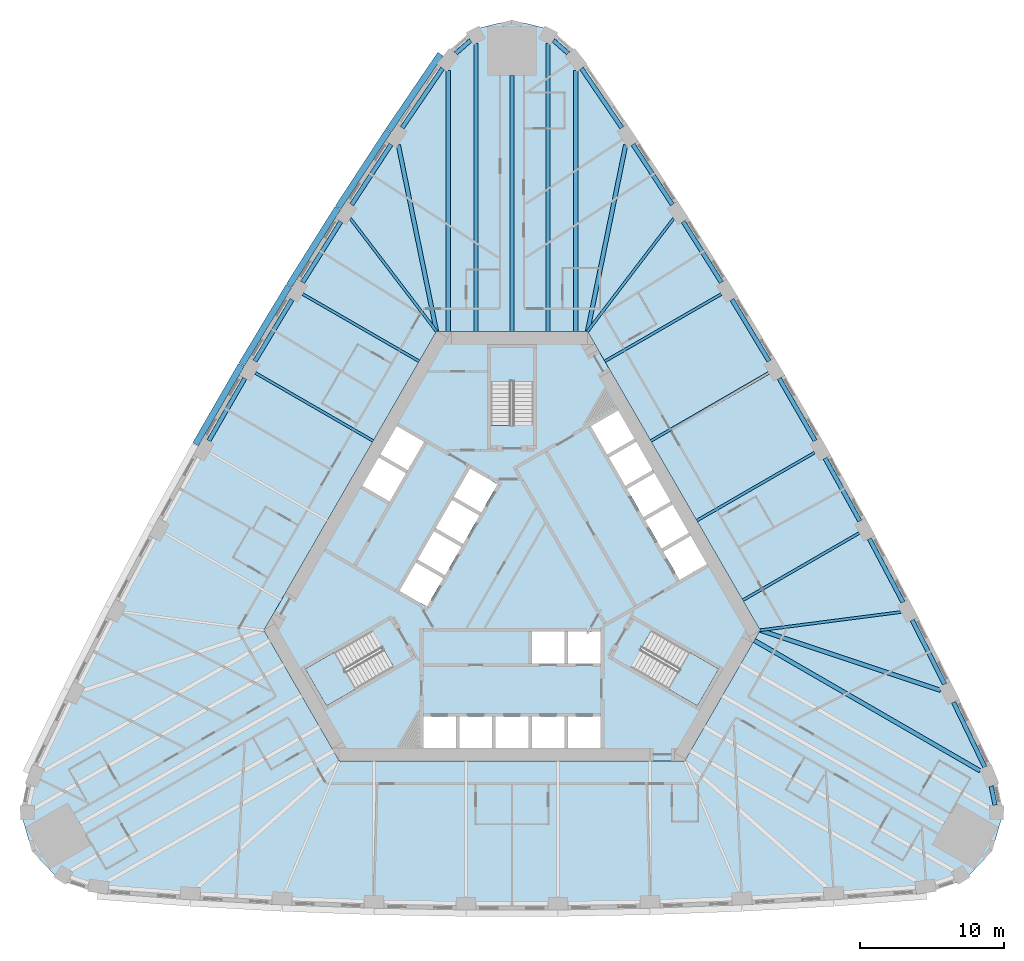
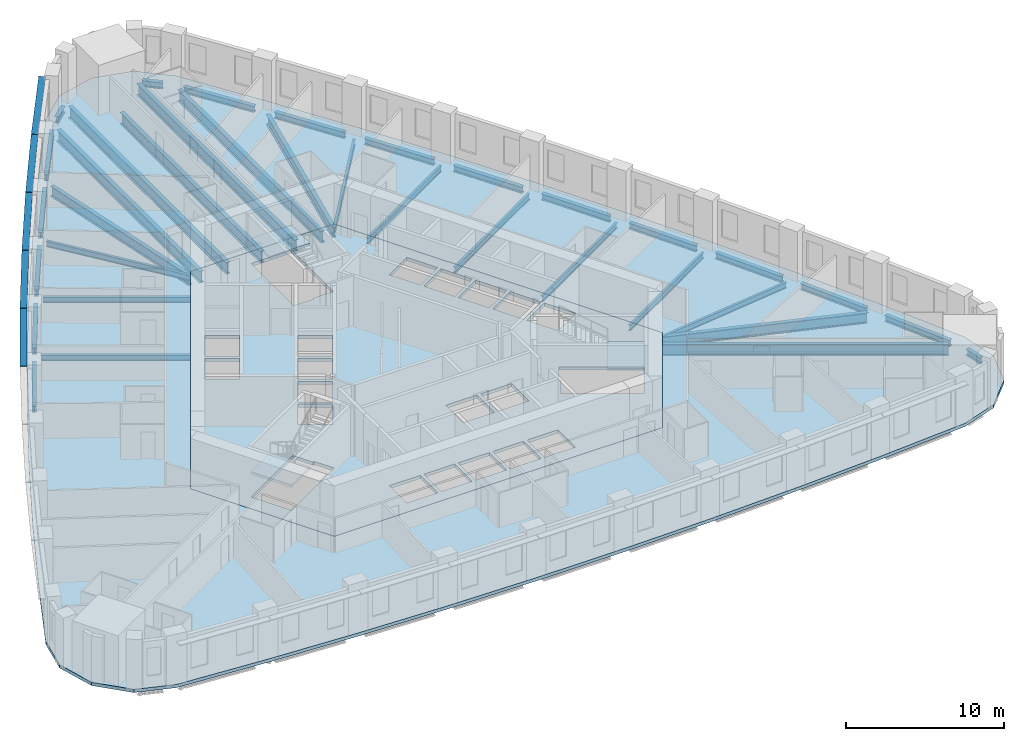
# One storey, part 2 of 12: 35 beams, 5 members, 5 slabs, 3 elements without a shape of their own.
"""IFC4 building model written with IfcOpenShell, lengths in metres."""

from ifc_helpers import new_model, si_unit, direction, frame, origin, origin_2d, place, context, subcontext, project, spatial, polyline, rectangle, i_section, outline, extrude, material, layer, layer_set, material_profile, profile_set, type_object, element, aggregate, save


model = new_model("IFC4")

# Units and contexts
model_context = context("Model", 3, precision=1e-05, world=origin(), true_north=direction((0.0, 1.0)))
body_context = subcontext(model_context, "Body", "Model", "MODEL_VIEW")
ifc_project = project(units=[si_unit("LENGTHUNIT", "METRE"), si_unit("AREAUNIT", "SQUARE_METRE"), si_unit("VOLUMEUNIT", "CUBIC_METRE"), si_unit("PLANEANGLEUNIT", "RADIAN"), si_unit("MASSUNIT", "GRAM", prefix="KILO")], contexts=[model_context])

# Site, building, storey
site_placement = place(None, origin())
site = spatial("IfcSite", under=ifc_project, at=site_placement, CompositionType="ELEMENT")
building_placement = place(site_placement, origin())
building = spatial("IfcBuilding", under=site, at=building_placement, Name="Mestral Congress Tower", CompositionType="ELEMENT")
storey_placement = place(building_placement, frame((0.0, 0.0, 74.39990234375)))
storey = spatial("IfcBuildingStorey", under=building, at=storey_placement, Name="L17", CompositionType="ELEMENT", Elevation=74.39990234375)

# Members
ifc_material_1 = material(Name="Glazed ceramic", Category="masonry")
ifc_material_profile_1 = material_profile(ifc_material_1, rectangle(XDim=0.449951171875, YDim=0.06005859375, at=origin_2d()), Name="Ceramic blade 450 x 60")
ifc_profile_set_1 = profile_set([ifc_material_profile_1], Name="Glazed ceramic")
member_type = type_object("IfcMemberType", Name="Facade sunshade blade 450 x 60", PredefinedType="USERDEFINED", material=ifc_profile_set_1)
member_1_placement = place(storey_placement, frame((-4.973388671875, 36.188232421875, 3.280029296875), z_axis=(-0.562633427576, -0.826706493367, 0.0), x_axis=(0.826706493367, -0.562633427576, 0.0)))
element("IfcMember", 1, at=member_1_placement, inside=storey, type_object=member_type, Name="Sunshade F2-00", ObjectType="SUNSHADE", PredefinedType="USERDEFINED", context=body_context, shape_type="SweptSolid", body=[
    extrude(rectangle(XDim=0.449951171875, YDim=0.06005859375, at=origin_2d()), origin(), (0.0, 0.0, 1.0), 6.4208984375),
])
member_2_placement = place(storey_placement, frame((-8.6103515625, 30.843505859375, 3.280029296875), z_axis=(-0.547211145376, -0.836994601163, 0.0), x_axis=(0.836994601163, -0.547211145376, 0.0)))
element("IfcMember", 2, at=member_2_placement, inside=storey, type_object=member_type, Name="Sunshade F2-01", ObjectType="SUNSHADE", PredefinedType="USERDEFINED", context=body_context, shape_type="SweptSolid", body=[
    extrude(rectangle(XDim=0.449951171875, YDim=0.06005859375, at=origin_2d()), origin(), (0.0, 0.0, 1.0), 6.368408203125),
])
for number, where, z_axis, x_axis, name in (
    (3, (-12.119140625, 25.47607421875, 3.280029296875), (-0.531665815747, -0.846954225662, 0.0), (0.846954225662, -0.531665815747, 0.0), "Sunshade F2-02"),
    (4, (-15.528076171875, 20.044921875, 3.280029296875), (-0.515904518528, -0.856646092481, 0.0), (0.856646092481, -0.515904518528, 0.0), "Sunshade F2-03"),
):
    element("IfcMember", number, at=place(storey_placement, frame(where, z_axis=z_axis, x_axis=x_axis)), inside=storey, type_object=member_type, Name=name, ObjectType="SUNSHADE", PredefinedType="USERDEFINED", context=body_context, shape_type="SweptSolid", body=[
        extrude(rectangle(XDim=0.449951171875, YDim=0.06005859375, at=origin_2d()), origin(), (0.0, 0.0, 1.0), 6.3681640625),
    ])
member_3_placement = place(storey_placement, frame((-18.8359375, 14.5517578125, 3.280029296875), z_axis=(-0.499990149842, -0.866031090701, 0.0), x_axis=(0.866031090701, -0.499990149842, 0.0)))
element("IfcMember", 5, at=member_3_placement, inside=storey, type_object=member_type, Name="Sunshade F2-04", ObjectType="SUNSHADE", PredefinedType="USERDEFINED", context=body_context, shape_type="SweptSolid", body=[
    extrude(rectangle(XDim=0.449951171875, YDim=0.06005859375, at=origin_2d()), origin(), (0.0, 0.0, 1.0), 6.368408203125),
])

# Beams
ifc_material_2 = material(Name="Steel S355", Category="steel")
ifc_material_profile_2 = material_profile(ifc_material_2, i_section(OverallWidth=0.300048828125, OverallDepth=0.800048828125, WebThickness=0.017578125, FlangeThickness=0.032958984375, FilletRadius=0.030029296875, at=origin_2d()), Name="HEB 800")
ifc_profile_set_2 = profile_set([ifc_material_profile_2], Name="Steel S355")
beam_type_1 = type_object("IfcBeamType", Name="Floor beam HEB 800 S355", PredefinedType="BEAM", material=ifc_profile_set_2)
for number, where, z_axis, x_axis, name in (
    (6, (29.8203125, -8.08349609375, -0.64990234375), (-0.948734931285, 0.316072824141, 0.0), (-0.316072824141, -0.948734931285, 0.0), "BM-L17-RB1-E01"),
    (7, (7.90966796875, 29.86669921875, -0.64990234375), (-0.200647311614, -0.979663542418, 0.0), (0.979663542418, -0.200647311614, 0.0), "BM-L17-RB1-E08"),
    (8, (-7.90966796875, 29.86669921875, -0.64990234375), (0.200647311614, -0.979663542418, 0.0), (0.979663542418, 0.200647311614, 0.0), "BM-L17-RB1-W01"),
):
    element("IfcBeam", number, at=place(storey_placement, frame(where, z_axis=z_axis, x_axis=x_axis)), inside=storey, type_object=beam_type_1, Name=name, PredefinedType="BEAM", context=body_context, shape_type="SweptSolid", body=[
        extrude(i_section(OverallWidth=0.300048828125, OverallDepth=0.800048828125, WebThickness=0.017578125, FlangeThickness=0.032958984375, FilletRadius=0.030029296875, at=origin_2d()), origin(), (0.0, 0.0, 1.0), 13.236083984375),
    ])
ifc_material_profile_3 = material_profile(ifc_material_2, i_section(OverallWidth=0.300048828125, OverallDepth=0.89990234375, WebThickness=0.0185546875, FlangeThickness=0.034912109375, FilletRadius=0.030029296875, at=origin_2d()), Name="HEB 900")
ifc_profile_set_3 = profile_set([ifc_material_profile_3], Name="Steel S355")
beam_type_2 = type_object("IfcBeamType", Name="Floor beam HEB 900 S355", PredefinedType="BEAM", material=ifc_profile_set_3)
beam_1_placement = place(storey_placement, frame((32.574462890625, -13.6845703125, -0.699951171875), z_axis=(-0.866029704776, 0.49999255039, 0.0), x_axis=(-0.49999255039, -0.866029704776, 0.0)))
element("IfcBeam", 9, at=beam_1_placement, inside=storey, type_object=beam_type_2, Name="BM-L17-RB1-E00", PredefinedType="BEAM", context=body_context, shape_type="SweptSolid", body=[
    extrude(i_section(OverallWidth=0.300048828125, OverallDepth=0.89990234375, WebThickness=0.0185546875, FlangeThickness=0.034912109375, FilletRadius=0.030029296875, at=origin_2d()), origin(), (0.0, 0.0, 1.0), 18.152587890625),
])
beam_2_placement = place(storey_placement, frame((4.43603515625, 35.052734375, -0.699951171875), z_axis=(0.0, -1.0, 0.0), x_axis=(1.0, 0.0, 0.0)))
element("IfcBeam", 10, at=beam_2_placement, inside=storey, type_object=beam_type_2, Name="BM-L17-RB1-E09", PredefinedType="BEAM", context=body_context, shape_type="SweptSolid", body=[
    extrude(i_section(OverallWidth=0.300048828125, OverallDepth=0.89990234375, WebThickness=0.0185546875, FlangeThickness=0.034912109375, FilletRadius=0.030029296875, at=origin_2d()), origin(), (0.0, 0.0, 1.0), 18.15283203125),
])
beam_3_placement = place(storey_placement, frame((2.503173828125, 36.91943359375, -0.699951171875), z_axis=(0.0, -1.0, 0.0), x_axis=(1.0, 0.0, 0.0)))
element("IfcBeam", 11, at=beam_3_placement, inside=storey, type_object=beam_type_2, Name="BM-L17-RB1-N1", PredefinedType="BEAM", context=body_context, shape_type="SweptSolid", body=[
    extrude(i_section(OverallWidth=0.300048828125, OverallDepth=0.89990234375, WebThickness=0.0185546875, FlangeThickness=0.034912109375, FilletRadius=0.030029296875, at=origin_2d()), origin(), (0.0, 0.0, 1.0), 20.01953125),
])
beam_4_placement = place(storey_placement, frame((0.0, 34.698974609375, -0.699951171875), z_axis=(0.0, -1.0, 0.0), x_axis=(1.0, 0.0, 0.0)))
element("IfcBeam", 12, at=beam_4_placement, inside=storey, type_object=beam_type_2, Name="BM-L17-RB1-N", PredefinedType="BEAM", context=body_context, shape_type="SweptSolid", body=[
    extrude(i_section(OverallWidth=0.300048828125, OverallDepth=0.89990234375, WebThickness=0.0185546875, FlangeThickness=0.034912109375, FilletRadius=0.030029296875, at=origin_2d()), origin(), (0.0, 0.0, 1.0), 17.799072265625),
])
beam_5_placement = place(storey_placement, frame((-2.503173828125, 36.91943359375, -0.699951171875), z_axis=(0.0, -1.0, 0.0), x_axis=(1.0, 0.0, 0.0)))
element("IfcBeam", 13, at=beam_5_placement, inside=storey, type_object=beam_type_2, Name="BM-L17-RB1-N3", PredefinedType="BEAM", context=body_context, shape_type="SweptSolid", body=[
    extrude(i_section(OverallWidth=0.300048828125, OverallDepth=0.89990234375, WebThickness=0.0185546875, FlangeThickness=0.034912109375, FilletRadius=0.030029296875, at=origin_2d()), origin(), (0.0, 0.0, 1.0), 20.01953125),
])
beam_6_placement = place(storey_placement, frame((-4.43603515625, 35.052734375, -0.699951171875), z_axis=(0.0, -1.0, 0.0), x_axis=(1.0, 0.0, 0.0)))
element("IfcBeam", 14, at=beam_6_placement, inside=storey, type_object=beam_type_2, Name="BM-L17-RB1-W00", PredefinedType="BEAM", context=body_context, shape_type="SweptSolid", body=[
    extrude(i_section(OverallWidth=0.300048828125, OverallDepth=0.89990234375, WebThickness=0.0185546875, FlangeThickness=0.034912109375, FilletRadius=0.030029296875, at=origin_2d()), origin(), (0.0, 0.0, 1.0), 18.15283203125),
])
ifc_material_profile_4 = material_profile(ifc_material_2, i_section(OverallWidth=0.18994140625, OverallDepth=0.449951171875, WebThickness=0.009521484375, FlangeThickness=0.0146484375, FilletRadius=0.02099609375, at=origin_2d()), Name="IPE 450")
ifc_profile_set_4 = profile_set([ifc_material_profile_4], Name="Steel S355")
beam_type_3 = type_object("IfcBeamType", Name="Floor beam IPE 450 S355", PredefinedType="BEAM", material=ifc_profile_set_4)
beam_7_placement = place(storey_placement, frame((27.058349609375, -2.6337890625, -0.474853515625), z_axis=(-0.99175011495, -0.128186229747, 0.0), x_axis=(0.128186229747, -0.99175011495, 0.0)))
element("IfcBeam", 15, at=beam_7_placement, inside=storey, type_object=beam_type_3, Name="BM-L17-RB1-E02", PredefinedType="BEAM", context=body_context, shape_type="SweptSolid", body=[
    extrude(i_section(OverallWidth=0.18994140625, OverallDepth=0.449951171875, WebThickness=0.009521484375, FlangeThickness=0.0146484375, FilletRadius=0.02099609375, at=origin_2d()), origin(), (0.0, 0.0, 1.0), 9.877197265625),
])
beam_8_placement = place(storey_placement, frame((24.150634765625, 2.859619140625, -0.474853515625), z_axis=(-0.866032011123, -0.499988555579, 0.0), x_axis=(0.499988555579, -0.866032011123, 0.0)))
element("IfcBeam", 16, at=beam_8_placement, inside=storey, type_object=beam_type_3, Name="BM-L17-RB1-E03", PredefinedType="BEAM", context=body_context, shape_type="SweptSolid", body=[
    extrude(i_section(OverallWidth=0.18994140625, OverallDepth=0.449951171875, WebThickness=0.009521484375, FlangeThickness=0.0146484375, FilletRadius=0.02099609375, at=origin_2d()), origin(), (0.0, 0.0, 1.0), 9.344970703125),
])
for number, where, z_axis, x_axis, name in (
    (17, (21.0537109375, 8.46044921875, -0.474853515625), (-0.866019749231, -0.500009793847, 0.0), (0.500009793847, -0.866019749231, 0.0), "BM-L17-RB1-E04"),
    (18, (17.853759765625, 14.0029296875, -0.474853515625), (-0.866019749231, -0.500009793847, 0.0), (0.500009793847, -0.866019749231, 0.0), "BM-L17-RB1-E05"),
):
    element("IfcBeam", number, at=place(storey_placement, frame(where, z_axis=z_axis, x_axis=x_axis)), inside=storey, type_object=beam_type_3, Name=name, PredefinedType="BEAM", context=body_context, shape_type="SweptSolid", body=[
        extrude(i_section(OverallWidth=0.18994140625, OverallDepth=0.449951171875, WebThickness=0.009521484375, FlangeThickness=0.0146484375, FilletRadius=0.02099609375, at=origin_2d()), origin(), (0.0, 0.0, 1.0), 9.463134765625),
    ])
beam_9_placement = place(storey_placement, frame((14.5517578125, 19.485107421875, -0.474853515625), z_axis=(-0.866025479842, -0.499999868264, 0.0), x_axis=(0.499999868264, -0.866025479842, 0.0)))
element("IfcBeam", 19, at=beam_9_placement, inside=storey, type_object=beam_type_3, Name="BM-L17-RB1-E06", PredefinedType="BEAM", context=body_context, shape_type="SweptSolid", body=[
    extrude(i_section(OverallWidth=0.18994140625, OverallDepth=0.449951171875, WebThickness=0.009521484375, FlangeThickness=0.0146484375, FilletRadius=0.02099609375, at=origin_2d()), origin(), (0.0, 0.0, 1.0), 9.3447265625),
])
for number, where, z_axis, x_axis, name in (
    (20, (11.248291015625, 24.75, -0.474853515625), (-0.606898557801, -0.794779303039, 0.0), (0.794779303039, -0.606898557801, 0.0), "BM-L17-RB1-E07"),
    (21, (-11.248291015625, 24.75, -0.474853515625), (0.606898557801, -0.794779303039, 0.0), (0.794779303039, 0.606898557801, 0.0), "BM-L17-RB1-W02"),
):
    element("IfcBeam", number, at=place(storey_placement, frame(where, z_axis=z_axis, x_axis=x_axis)), inside=storey, type_object=beam_type_3, Name=name, PredefinedType="BEAM", context=body_context, shape_type="SweptSolid", body=[
        extrude(i_section(OverallWidth=0.18994140625, OverallDepth=0.449951171875, WebThickness=0.009521484375, FlangeThickness=0.0146484375, FilletRadius=0.02099609375, at=origin_2d()), origin(), (0.0, 0.0, 1.0), 9.877197265625),
    ])
beam_10_placement = place(storey_placement, frame((-14.5517578125, 19.485107421875, -0.474853515625), z_axis=(0.866025479842, -0.499999868264, 0.0), x_axis=(0.499999868264, 0.866025479842, 0.0)))
element("IfcBeam", 22, at=beam_10_placement, inside=storey, type_object=beam_type_3, Name="BM-L17-RB1-W03", PredefinedType="BEAM", context=body_context, shape_type="SweptSolid", body=[
    extrude(i_section(OverallWidth=0.18994140625, OverallDepth=0.449951171875, WebThickness=0.009521484375, FlangeThickness=0.0146484375, FilletRadius=0.02099609375, at=origin_2d()), origin(), (0.0, 0.0, 1.0), 9.3447265625),
])
beam_11_placement = place(storey_placement, frame((-17.853759765625, 14.0029296875, -0.474853515625), z_axis=(0.866019749231, -0.500009793847, 0.0), x_axis=(0.500009793847, 0.866019749231, 0.0)))
element("IfcBeam", 23, at=beam_11_placement, inside=storey, type_object=beam_type_3, Name="BM-L17-RB1-W04", PredefinedType="BEAM", context=body_context, shape_type="SweptSolid", body=[
    extrude(i_section(OverallWidth=0.18994140625, OverallDepth=0.449951171875, WebThickness=0.009521484375, FlangeThickness=0.0146484375, FilletRadius=0.02099609375, at=origin_2d()), origin(), (0.0, 0.0, 1.0), 9.463134765625),
])
ifc_material_profile_5 = material_profile(ifc_material_2, i_section(OverallWidth=0.300048828125, OverallDepth=0.489990234375, WebThickness=0.011962890625, FlangeThickness=0.02294921875, FilletRadius=0.027099609375, at=origin_2d()), Name="HEA 500")
ifc_profile_set_5 = profile_set([ifc_material_profile_5], Name="Steel S355")
beam_type_4 = type_object("IfcBeamType", Name="Spandrel beam HEA 500 S355", PredefinedType="BEAM", material=ifc_profile_set_5)
beam_12_placement = place(storey_placement, frame((33.611328125, -16.0693359375, -0.494873046875), z_axis=(-0.197991750859, 0.980203686277, 0.0), x_axis=(-0.980203686277, -0.197991750859, 0.0)))
element("IfcBeam", 24, at=beam_12_placement, inside=storey, type_object=beam_type_4, Name="SP-L17-SB1-SE3", PredefinedType="BEAM", context=body_context, shape_type="SweptSolid", body=[
    extrude(i_section(OverallWidth=0.300048828125, OverallDepth=0.489990234375, WebThickness=0.011962890625, FlangeThickness=0.02294921875, FilletRadius=0.027099609375, at=origin_2d()), origin(), (0.0, 0.0, 1.0), 1.3515625),
])
beam_13_placement = place(storey_placement, frame((32.897705078125, -13.415283203125, -0.494873046875), z_axis=(-0.434645244295, 0.900601749727, 0.0), x_axis=(-0.900601749727, -0.434645244295, 0.0)))
element("IfcBeam", 25, at=beam_13_placement, inside=storey, type_object=beam_type_4, Name="SP-L17-SB1-E00", PredefinedType="BEAM", context=body_context, shape_type="SweptSolid", body=[
    extrude(i_section(OverallWidth=0.300048828125, OverallDepth=0.489990234375, WebThickness=0.011962890625, FlangeThickness=0.02294921875, FilletRadius=0.027099609375, at=origin_2d()), origin(), (0.0, 0.0, 1.0), 4.998046875),
])
beam_14_placement = place(storey_placement, frame((30.105224609375, -7.658935546875, -0.494873046875), z_axis=(-0.45123261425, 0.892406369227, 0.0), x_axis=(-0.892406369227, -0.45123261425, 0.0)))
element("IfcBeam", 26, at=beam_14_placement, inside=storey, type_object=beam_type_4, Name="SP-L17-SB1-E01", PredefinedType="BEAM", context=body_context, shape_type="SweptSolid", body=[
    extrude(i_section(OverallWidth=0.300048828125, OverallDepth=0.489990234375, WebThickness=0.011962890625, FlangeThickness=0.02294921875, FilletRadius=0.027099609375, at=origin_2d()), origin(), (0.0, 0.0, 1.0), 4.999755859375),
])
beam_15_placement = place(storey_placement, frame((27.2060546875, -1.95361328125, -0.494873046875), z_axis=(-0.467681307417, 0.883897162962, 0.0), x_axis=(-0.883897162962, -0.467681307417, 0.0)))
element("IfcBeam", 27, at=beam_15_placement, inside=storey, type_object=beam_type_4, Name="SP-L17-SB1-E02", PredefinedType="BEAM", context=body_context, shape_type="SweptSolid", body=[
    extrude(i_section(OverallWidth=0.300048828125, OverallDepth=0.489990234375, WebThickness=0.011962890625, FlangeThickness=0.02294921875, FilletRadius=0.027099609375, at=origin_2d()), origin(), (0.0, 0.0, 1.0), 5.0),
])
for number, where, z_axis, x_axis, name in (
    (28, (24.20166015625, 3.697265625, -0.494873046875), (-0.483900688062, 0.875122919419, 0.0), (-0.875122919419, -0.483900688062, 0.0), "SP-L17-SB1-E03"),
    (29, (21.093505859375, 9.291748046875, -0.494873046875), (-0.50002537861, 0.866010750942, 0.0), (-0.866010750942, -0.50002537861, 0.0), "SP-L17-SB1-E04"),
    (30, (17.88232421875, 14.82763671875, -0.494873046875), (-0.515938385622, 0.85662569553, 0.0), (-0.85662569553, -0.515938385622, 0.0), "SP-L17-SB1-E05"),
    (31, (14.5693359375, 20.302978515625, -0.494873046875), (-0.531661433361, 0.846956976639, 0.0), (-0.846956976639, -0.531661433361, 0.0), "SP-L17-SB1-E06"),
):
    element("IfcBeam", number, at=place(storey_placement, frame(where, z_axis=z_axis, x_axis=x_axis)), inside=storey, type_object=beam_type_4, Name=name, PredefinedType="BEAM", context=body_context, shape_type="SweptSolid", body=[
        extrude(i_section(OverallWidth=0.300048828125, OverallDepth=0.489990234375, WebThickness=0.011962890625, FlangeThickness=0.02294921875, FilletRadius=0.027099609375, at=origin_2d()), origin(), (0.0, 0.0, 1.0), 4.999755859375),
    ])
beam_16_placement = place(storey_placement, frame((11.156005859375, 25.716552734375, -0.494873046875), z_axis=(-0.547263834194, 0.836960151849, 0.0), x_axis=(-0.836960151849, -0.547263834194, 0.0)))
element("IfcBeam", 32, at=beam_16_placement, inside=storey, type_object=beam_type_4, Name="SP-L17-SB1-E07", PredefinedType="BEAM", context=body_context, shape_type="SweptSolid", body=[
    extrude(i_section(OverallWidth=0.300048828125, OverallDepth=0.489990234375, WebThickness=0.011962890625, FlangeThickness=0.02294921875, FilletRadius=0.027099609375, at=origin_2d()), origin(), (0.0, 0.0, 1.0), 5.0),
])
beam_17_placement = place(storey_placement, frame((7.642822265625, 31.06591796875, -0.494873046875), z_axis=(-0.562610596841, 0.826722030868, 0.0), x_axis=(-0.826722030868, -0.562610596841, 0.0)))
element("IfcBeam", 33, at=beam_17_placement, inside=storey, type_object=beam_type_4, Name="SP-L17-SB1-E08", PredefinedType="BEAM", context=body_context, shape_type="SweptSolid", body=[
    extrude(i_section(OverallWidth=0.300048828125, OverallDepth=0.489990234375, WebThickness=0.011962890625, FlangeThickness=0.02294921875, FilletRadius=0.027099609375, at=origin_2d()), origin(), (0.0, 0.0, 1.0), 4.998046875),
])
for number, where, z_axis, x_axis, name in (
    (34, (3.902587890625, 36.248779296875, -0.494873046875), (-0.749806226219, 0.661657481725, 0.0), (-0.661657481725, -0.749806226219, 0.0), "SP-L17-SB1-E09"),
    (35, (-2.88916015625, 37.14306640625, -0.494873046875), (-0.749806226219, -0.661657481725, 0.0), (0.661657481725, -0.749806226219, 0.0), "SP-L17-SB1-N3"),
):
    element("IfcBeam", number, at=place(storey_placement, frame(where, z_axis=z_axis, x_axis=x_axis)), inside=storey, type_object=beam_type_4, Name=name, PredefinedType="BEAM", context=body_context, shape_type="SweptSolid", body=[
        extrude(i_section(OverallWidth=0.300048828125, OverallDepth=0.489990234375, WebThickness=0.011962890625, FlangeThickness=0.02294921875, FilletRadius=0.027099609375, at=origin_2d()), origin(), (0.0, 0.0, 1.0), 1.3515625),
    ])
beam_18_placement = place(storey_placement, frame((-4.830810546875, 35.197998046875, -0.494873046875), z_axis=(-0.562610596841, -0.826722030868, 0.0), x_axis=(0.826722030868, -0.562610596841, 0.0)))
element("IfcBeam", 36, at=beam_18_placement, inside=storey, type_object=beam_type_4, Name="SP-L17-SB1-W00", PredefinedType="BEAM", context=body_context, shape_type="SweptSolid", body=[
    extrude(i_section(OverallWidth=0.300048828125, OverallDepth=0.489990234375, WebThickness=0.011962890625, FlangeThickness=0.02294921875, FilletRadius=0.027099609375, at=origin_2d()), origin(), (0.0, 0.0, 1.0), 4.998046875),
])
beam_19_placement = place(storey_placement, frame((-8.419677734375, 29.9013671875, -0.494873046875), z_axis=(-0.547263834194, -0.836960151849, 0.0), x_axis=(0.836960151849, -0.547263834194, 0.0)))
element("IfcBeam", 37, at=beam_19_placement, inside=storey, type_object=beam_type_4, Name="SP-L17-SB1-W01", PredefinedType="BEAM", context=body_context, shape_type="SweptSolid", body=[
    extrude(i_section(OverallWidth=0.300048828125, OverallDepth=0.489990234375, WebThickness=0.011962890625, FlangeThickness=0.02294921875, FilletRadius=0.027099609375, at=origin_2d()), origin(), (0.0, 0.0, 1.0), 5.0),
])
for number, where, z_axis, x_axis, name in (
    (38, (-11.9111328125, 24.53759765625, -0.494873046875), (-0.531661433361, -0.846956976639, 0.0), (0.846956976639, -0.531661433361, 0.0), "SP-L17-SB1-W02"),
    (39, (-15.302734375, 19.110595703125, -0.494873046875), (-0.515938385622, -0.85662569553, 0.0), (0.85662569553, -0.515938385622, 0.0), "SP-L17-SB1-W03"),
    (40, (-18.593505859375, 13.62158203125, -0.494873046875), (-0.50002537861, -0.866010750942, 0.0), (0.866010750942, -0.50002537861, 0.0), "SP-L17-SB1-W04"),
):
    element("IfcBeam", number, at=place(storey_placement, frame(where, z_axis=z_axis, x_axis=x_axis)), inside=storey, type_object=beam_type_4, Name=name, PredefinedType="BEAM", context=body_context, shape_type="SweptSolid", body=[
        extrude(i_section(OverallWidth=0.300048828125, OverallDepth=0.489990234375, WebThickness=0.011962890625, FlangeThickness=0.02294921875, FilletRadius=0.027099609375, at=origin_2d()), origin(), (0.0, 0.0, 1.0), 4.999755859375),
    ])

# Slabs
ifc_material_3 = material(Name="Concrete C35/45", Category="concrete")
ifc_layer_1 = layer(ifc_material_3, 0.25)
ifc_layer_set_1 = layer_set([ifc_layer_1], Name="Concrete C35/45")
slab_type_1 = type_object("IfcSlabType", Name="Composite floor slab 250", PredefinedType="FLOOR", material=ifc_layer_set_1)
placement_1 = place(storey_placement, frame((0.0, 0.0, -0.25)))
element("IfcSlab", 41, at=placement_1, inside=storey, type_object=slab_type_1, Name="SL-L17", PredefinedType="FLOOR", context=body_context, shape_type="SweptSolid", body=[
    extrude(outline(polyline([(-28.8564453125, -22.17529296875), (-31.45849609375, -21.301025390625), (-33.39599609375, -19.28125), (-34.176513671875, -16.59326171875), (-33.6328125, -13.90283203125), (-30.824462890625, -8.084228515625), (-27.93310546875, -2.365478515625), (-24.936279296875, 3.298828125), (-21.835205078125, 8.90673828125), (-18.631103515625, 14.45654296875), (-15.324951171875, 19.946044921875), (-11.91796875, 25.373291015625), (-8.4111328125, 30.737060546875), (-4.776123046875, 36.078125), (-2.718017578125, 37.894287109375), (0.0, 38.562255859375), (2.718017578125, 37.894287109375), (4.776123046875, 36.078125), (8.4111328125, 30.737060546875), (11.91796875, 25.373291015625), (15.324951171875, 19.946044921875), (18.631103515625, 14.45654296875), (21.835205078125, 8.90673828125), (24.936279296875, 3.298828125), (27.93310546875, -2.365478515625), (30.824462890625, -8.084228515625), (33.6328125, -13.90283203125), (34.176513671875, -16.59326171875), (33.39599609375, -19.28125), (31.45849609375, -21.301025390625), (28.8564453125, -22.17529296875), (22.41357421875, -22.652587890625), (16.01513671875, -23.0078125), (9.611083984375, -23.244873046875), (3.2041015625, -23.36328125), (-3.2041015625, -23.36328125), (-9.611083984375, -23.244873046875), (-16.01513671875, -23.0078125), (-22.41357421875, -22.652587890625), (-28.8564453125, -22.17529296875)]), holes=[polyline([(-5.25390625, 16.89990234375), (-17.2626953125, -3.89990234375), (-12.0087890625, -13.0), (12.0087890625, -13.0), (17.2626953125, -3.89990234375), (5.25390625, 16.89990234375), (-5.25390625, 16.89990234375)])]), origin(), (0.0, 0.0, 1.0), 0.25),
])
ifc_material_4 = material(Name="Concrete C60/75", Category="concrete")
ifc_layer_2 = layer(ifc_material_4, 0.25)
ifc_layer_set_2 = layer_set([ifc_layer_2], Name="Concrete C60/75")
slab_type_2 = type_object("IfcSlabType", Name="Core floor slab RC 250", PredefinedType="FLOOR", material=ifc_layer_set_2)
element("IfcSlab", 42, at=placement_1, inside=storey, type_object=slab_type_2, Name="L17 core floor", PredefinedType="FLOOR", context=body_context, shape_type="SweptSolid", body=[
    extrude(outline(polyline([(12.0087890625, -13.0), (-12.0087890625, -13.0), (-17.2626953125, -3.89990234375), (-5.25390625, 16.89990234375), (5.25390625, 16.89990234375), (17.2626953125, -3.89990234375), (12.0087890625, -13.0)]), holes=[polyline([(-3.905029296875, -9.89990234375), (-6.175048828125, -9.89990234375), (-6.175048828125, -12.10009765625), (-3.905029296875, -12.10009765625), (-3.905029296875, -9.89990234375)]), polyline([(-1.385009765625, -9.89990234375), (-3.655029296875, -9.89990234375), (-3.655029296875, -12.10009765625), (-1.385009765625, -12.10009765625), (-1.385009765625, -9.89990234375)]), polyline([(1.135009765625, -9.89990234375), (-1.135009765625, -9.89990234375), (-1.135009765625, -12.10009765625), (1.135009765625, -12.10009765625), (1.135009765625, -9.89990234375)]), polyline([(-9.0673828125, -5.235107421875), (-9.8046875, -3.95751953125), (-14.37744140625, -6.59765625), (-12.90234375, -9.15234375), (-8.234619140625, -6.45751953125), (-8.971923828125, -5.179931640625), (-9.0673828125, -5.235107421875)]), polyline([(-7.826904296875, -1.156494140625), (-5.921630859375, -2.256591796875), (-4.78662109375, -0.29052734375), (-6.69189453125, 0.809326171875), (-7.826904296875, -1.156494140625)]), polyline([(-4.66162109375, -0.07421875), (-3.526611328125, 1.8916015625), (-5.431884765625, 2.99169921875), (-6.56689453125, 1.02587890625), (-4.66162109375, -0.07421875)]), polyline([(-3.401611328125, 2.1083984375), (-2.2666015625, 4.07421875), (-4.171875, 5.174072265625), (-5.306884765625, 3.208251953125), (-3.401611328125, 2.1083984375)]), polyline([(-2.1416015625, 4.29052734375), (-1.006591796875, 6.256591796875), (-2.911865234375, 7.3564453125), (-4.046875, 5.390625), (-2.1416015625, 4.29052734375)]), polyline([(-10.41650390625, 6.158203125), (-8.51123046875, 5.058349609375), (-7.376220703125, 7.024169921875), (-9.281494140625, 8.1240234375), (-10.41650390625, 6.158203125)]), polyline([(-9.156494140625, 8.340576171875), (-7.251220703125, 7.240478515625), (-6.1162109375, 9.20654296875), (-8.021484375, 10.306396484375), (-9.156494140625, 8.340576171875)]), polyline([(1.47509765625, 10.469970703125), (1.47509765625, 15.75), (-1.47509765625, 15.75), (-1.47509765625, 10.360107421875), (0.0, 10.360107421875), (0.0, 10.469970703125), (1.47509765625, 10.469970703125)]), polyline([(3.655029296875, -9.89990234375), (1.385009765625, -9.89990234375), (1.385009765625, -12.10009765625), (3.655029296875, -12.10009765625), (3.655029296875, -9.89990234375)]), polyline([(6.175048828125, -9.89990234375), (3.905029296875, -9.89990234375), (3.905029296875, -12.10009765625), (6.175048828125, -12.10009765625), (6.175048828125, -9.89990234375)]), polyline([(9.0673828125, -5.235107421875), (8.329833984375, -6.512451171875), (12.90234375, -9.15234375), (14.37744140625, -6.59765625), (9.70947265625, -3.902587890625), (8.971923828125, -5.179931640625), (9.0673828125, -5.235107421875)]), polyline([(3.655029296875, -6.199951171875), (3.655029296875, -4.0), (1.385009765625, -4.0), (1.385009765625, -6.199951171875), (3.655029296875, -6.199951171875)]), polyline([(6.175048828125, -4.0), (3.905029296875, -4.0), (3.905029296875, -6.199951171875), (6.175048828125, -6.199951171875), (6.175048828125, -4.0)]), polyline([(12.431396484375, 2.668212890625), (10.526123046875, 1.568115234375), (11.6611328125, -0.397705078125), (13.56640625, 0.702392578125), (12.431396484375, 2.668212890625)]), polyline([(11.17138671875, 4.8505859375), (9.26611328125, 3.75048828125), (10.401123046875, 1.78466796875), (12.306396484375, 2.884765625), (11.17138671875, 4.8505859375)]), polyline([(8.006103515625, 5.932861328125), (9.14111328125, 3.967041015625), (11.04638671875, 5.067138671875), (9.911376953125, 7.032958984375), (8.006103515625, 5.932861328125)]), polyline([(8.6513671875, 9.21533203125), (6.74609375, 8.115234375), (7.881103515625, 6.1494140625), (9.786376953125, 7.24951171875), (8.6513671875, 9.21533203125)]), polyline([(7.391357421875, 11.397705078125), (5.486083984375, 10.297607421875), (6.62109375, 8.331787109375), (8.5263671875, 9.431884765625), (7.391357421875, 11.397705078125)])]), origin(), (0.0, 0.0, 1.0), 0.25),
])

# Stair, slab
stair_type = type_object("IfcStairType", Name="Exit stair 1400", PredefinedType="HALF_TURN_STAIR", material=ifc_material_4)
placement_2 = place(storey_placement, origin())
stair_1 = element("IfcStair", 43, at=placement_2, inside=storey, type_object=stair_type, Name="L17 ST1", PredefinedType="HALF_TURN_STAIR")
ifc_layer_3 = layer(ifc_material_4, 0.199951171875)
ifc_layer_set_3 = layer_set([ifc_layer_3], Name="Concrete C60/75")
slab_type_3 = type_object("IfcSlabType", Name="Exit stair landing 200", PredefinedType="LANDING", material=ifc_layer_set_3)
placement_3 = place(storey_placement, frame((0.0, 0.0, 1.75)))
slab_3 = element("IfcSlab", 44, at=placement_3, type_object=slab_type_3, Name="ST1 landing 1", PredefinedType="LANDING", context=body_context, shape_type="SweptSolid", body=[
    extrude(outline(polyline([(10.879638671875, -7.99609375), (12.364501953125, -5.424072265625), (14.39111328125, -6.593994140625), (12.906005859375, -9.166015625), (10.879638671875, -7.99609375)])), origin(), (0.0, 0.0, 1.0), 0.2001953125),
])
aggregate(stair_1, [slab_3])

stair_2 = element("IfcStair", 45, at=placement_2, inside=storey, type_object=stair_type, Name="L17 ST2", PredefinedType="HALF_TURN_STAIR")
slab_4 = element("IfcSlab", 46, at=placement_3, type_object=slab_type_3, Name="ST2 landing 1", PredefinedType="LANDING", context=body_context, shape_type="SweptSolid", body=[
    extrude(outline(polyline([(1.485107421875, 13.419921875), (-1.485107421875, 13.419921875), (-1.485107421875, 15.760009765625), (1.485107421875, 15.760009765625), (1.485107421875, 13.419921875)])), origin(), (0.0, 0.0, 1.0), 0.2001953125),
])
aggregate(stair_2, [slab_4])

stair_3 = element("IfcStair", 47, at=placement_2, inside=storey, type_object=stair_type, Name="L17 ST3", PredefinedType="HALF_TURN_STAIR")
slab_5 = element("IfcSlab", 48, at=placement_3, type_object=slab_type_3, Name="ST3 landing 1", PredefinedType="LANDING", context=body_context, shape_type="SweptSolid", body=[
    extrude(outline(polyline([(-12.364501953125, -5.424072265625), (-10.879638671875, -7.99609375), (-12.906005859375, -9.166015625), (-14.39111328125, -6.593994140625), (-12.364501953125, -5.424072265625)])), origin(), (0.0, 0.0, 1.0), 0.2001953125),
])
aggregate(stair_3, [slab_5])

save(model, "model.ifc")
